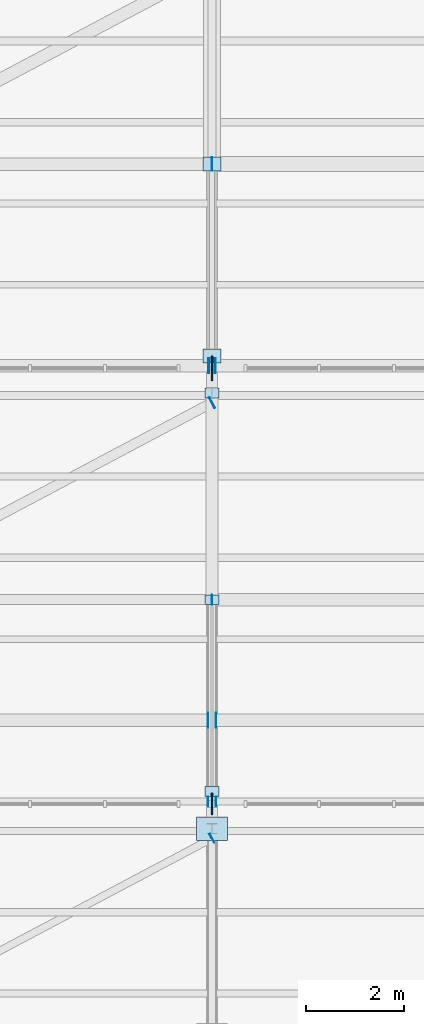
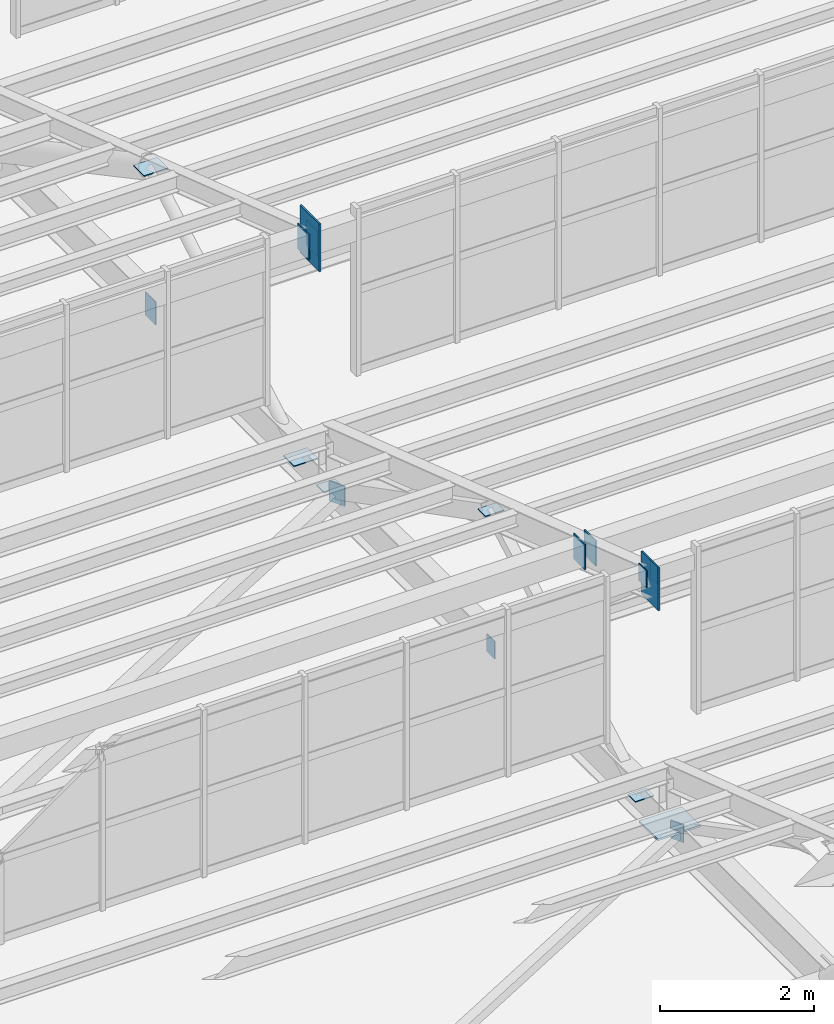
# One storey, part 215 of 285: 18 plates.
"""IFC4 building model written with IfcOpenShell, lengths in metres."""

from ifc_helpers import new_model, si_unit, direction, frame, origin, origin_2d, place, context, subcontext, project, spatial, rectangle, extrude, material, layer, layer_set, type_object, element, save


model = new_model("IFC4")

# Units and contexts
model_context = context("Model", 3, precision=1e-05, world=origin(), true_north=direction((0.0, 1.0)))
body_context = subcontext(model_context, "Body", "Model", "MODEL_VIEW")
ifc_project = project(units=[si_unit("LENGTHUNIT", "METRE"), si_unit("AREAUNIT", "SQUARE_METRE"), si_unit("VOLUMEUNIT", "CUBIC_METRE"), si_unit("PLANEANGLEUNIT", "RADIAN"), si_unit("MASSUNIT", "GRAM", prefix="KILO")], contexts=[model_context])

# Site, building, storey
site_placement = place(None, origin())
site = spatial("IfcSite", under=ifc_project, at=site_placement, CompositionType="ELEMENT")
building_placement = place(site_placement, origin())
building = spatial("IfcBuilding", under=site, at=building_placement, Name="Solanera Park Tramway Depot", CompositionType="ELEMENT")
storey_placement = place(building_placement, origin())
storey = spatial("IfcBuildingStorey", under=building, at=storey_placement, Name="L00", CompositionType="ELEMENT", Elevation=0.0)

# Plates
ifc_material_1 = material(Name="Steel AS/NZS 3679.1 Grade 350", Category="steel")
ifc_layer_1 = layer(ifc_material_1, 0.013916015625)
ifc_layer_set_1 = layer_set([ifc_layer_1], Name="Steel AS/NZS 3679.1 Grade 350")
plate_type_1 = type_object("IfcPlateType", Name="Hollow End Cap and Base Plate 280x200x14", PredefinedType="USERDEFINED", material=ifc_layer_set_1)
for number, where, z_axis, x_axis, name in (
    (1, (105.000732421875, 63.9013671875, 6.35986328125), (0.0, 0.0, 1.0), (0.883520501477, 0.468392488698, 0.0), "Hollow Section Welded End Cap Plate #0174"),
    (2, (105.0, 68.75, 6.35986328125), (0.0, 0.0, 1.0), (1.0, 0.0, 0.0), "Sawtooth Truss Hollow End Cap #0208"),
):
    element("IfcPlate", number, at=place(storey_placement, frame(where, z_axis=z_axis, x_axis=x_axis)), inside=storey, type_object=plate_type_1, Name=name, ObjectType="BASE PLATE", PredefinedType="USERDEFINED", context=body_context, shape_type="SweptSolid", body=[
        extrude(rectangle(XDim=0.013916015625, YDim=0.199951171875, at=origin_2d()), origin(), (0.0, 0.0, 1.0), 0.280029296875),
    ])
for number, where, z_axis, x_axis, name in (
    (3, (105.0, 72.949951171875, 6.4931640625), (0.0, 0.0, 1.0), (1.0, 0.0, 0.0), "Sawtooth Truss Node Cap Plate #0209"),
    (4, (105.0, 68.75, 8.66064453125), (0.0, 0.0, 1.0), (1.0, 0.0, 0.0), "Sawtooth Truss Node Cap Plate #0210"),
    (5, (105.0, 64.85009765625, 6.4931640625), (0.0, 0.0, 1.0), (1.0, 0.0, 0.0), "Sawtooth Truss Node Cap Plate #0211"),
):
    element("IfcPlate", number, at=place(storey_placement, frame(where, z_axis=z_axis, x_axis=x_axis)), inside=storey, type_object=plate_type_1, Name=name, ObjectType="BASE PLATE", PredefinedType="USERDEFINED", context=body_context, shape_type="SweptSolid", body=[
        extrude(rectangle(XDim=0.280029296875, YDim=0.199951171875, at=origin_2d()), origin(), (0.0, 0.0, 1.0), 0.013916015625),
    ])
for number, where, z_axis, x_axis, name in (
    (6, (104.915771484375, 64.64990234375, 10.0), (0.0, 0.0, 1.0), (1.0, 0.0, 0.0), "Hollow Section Welded End Cap Plate #0233"),
    (7, (105.084228515625, 64.64990234375, 10.0), (0.0, 0.0, 1.0), (1.0, 0.0, 0.0), "Hollow Section Welded End Cap Plate #0234"),
):
    element("IfcPlate", number, at=place(storey_placement, frame(where, z_axis=z_axis, x_axis=x_axis)), inside=storey, type_object=plate_type_1, Name=name, ObjectType="BASE PLATE", PredefinedType="USERDEFINED", context=body_context, shape_type="SweptSolid", body=[
        extrude(rectangle(XDim=0.013916015625, YDim=0.199951171875, at=origin_2d()), origin(), (0.0, 0.0, 1.0), 0.280029296875),
    ])
ifc_material_2 = material(Name="Steel AS/NZS 3679.1 Grade 350", Category="steel")
ifc_layer_2 = layer(ifc_material_2, 0.01611328125)
ifc_layer_set_2 = layer_set([ifc_layer_2], Name="Steel AS/NZS 3679.1 Grade 350")
plate_type_2 = type_object("IfcPlateType", Name="Hollow End Cap and Base Plate 320x240x16", PredefinedType="USERDEFINED", material=ifc_layer_set_2)
plate_1_placement = place(storey_placement, frame((105.00146484375, 72.751953125, 6.33984375), z_axis=(0.0, 0.0, 1.0), x_axis=(0.883520501477, 0.468392488698, 0.0)))
element("IfcPlate", 8, at=plate_1_placement, inside=storey, type_object=plate_type_2, Name="Hollow Section Welded End Cap Plate #0263", ObjectType="BASE PLATE", PredefinedType="USERDEFINED", context=body_context, shape_type="SweptSolid", body=[
    extrude(rectangle(XDim=0.01611328125, YDim=0.239990234375, at=origin_2d()), origin(), (0.0, 0.0, 1.0), 0.320068359375),
])
ifc_material_3 = material(Name="Steel AS/NZS 3679.1 Grade 350", Category="steel")
ifc_layer_3 = layer(ifc_material_3, 0.01806640625)
ifc_layer_set_3 = layer_set([ifc_layer_3], Name="Steel AS/NZS 3679.1 Grade 350")
plate_type_3 = type_object("IfcPlateType", Name="Hollow End Cap and Base Plate 360x280x18", PredefinedType="USERDEFINED", material=ifc_layer_set_3)
plate_2_placement = place(storey_placement, frame((105.0, 77.60009765625, 6.31982421875), z_axis=(0.0, 0.0, 1.0), x_axis=(1.0, 0.0, 0.0)))
element("IfcPlate", 9, at=plate_2_placement, inside=storey, type_object=plate_type_3, Name="Sawtooth Truss Hollow End Cap #0302", ObjectType="BASE PLATE", PredefinedType="USERDEFINED", context=body_context, shape_type="SweptSolid", body=[
    extrude(rectangle(XDim=0.01806640625, YDim=0.280029296875, at=origin_2d()), origin(), (0.0, 0.0, 1.0), 0.360107421875),
])
for number, where, z_axis, x_axis, name in (
    (10, (105.0, 77.60009765625, 8.733642578125), (0.0, 0.0, 1.0), (1.0, 0.0, 0.0), "Sawtooth Truss Node Cap Plate #0304"),
    (11, (105.0, 73.699951171875, 6.490966796875), (0.0, 0.0, 1.0), (1.0, 0.0, 0.0), "Sawtooth Truss Node Cap Plate #0305"),
):
    element("IfcPlate", number, at=place(storey_placement, frame(where, z_axis=z_axis, x_axis=x_axis)), inside=storey, type_object=plate_type_3, Name=name, ObjectType="BASE PLATE", PredefinedType="USERDEFINED", context=body_context, shape_type="SweptSolid", body=[
        extrude(rectangle(XDim=0.360107421875, YDim=0.280029296875, at=origin_2d()), origin(), (0.0, 0.0, 1.0), 0.01806640625),
    ])
ifc_material_4 = material(Name="Steel AS/NZS 3679.1 Grade 350", Category="steel")
ifc_layer_4 = layer(ifc_material_4, 0.02001953125)
ifc_layer_set_4 = layer_set([ifc_layer_4], Name="Steel AS/NZS 3679.1 Grade 350")
plate_type_4 = type_object("IfcPlateType", Name="Hollow End Cap and Base Plate 400x300x20", PredefinedType="USERDEFINED", material=ifc_layer_set_4)
for number, where, z_axis, x_axis, name in (
    (12, (104.918701171875, 66.300048828125, 9.3212890625), (0.0, 0.0, 1.0), (1.0, 0.0, 0.0), "Hollow Section Welded End Cap Plate #0249"),
    (13, (105.081298828125, 66.300048828125, 9.3212890625), (0.0, 0.0, 1.0), (1.0, 0.0, 0.0), "Hollow Section Welded End Cap Plate #0250"),
    (14, (104.930908203125, 73.5, 9.873291015625), (0.0, 0.0, 1.0), (1.0, 0.0, 0.0), "Hollow Section Welded End Cap Plate #0334"),
    (15, (105.069091796875, 73.5, 9.873291015625), (0.0, 0.0, 1.0), (1.0, 0.0, 0.0), "Hollow Section Welded End Cap Plate #0335"),
):
    element("IfcPlate", number, at=place(storey_placement, frame(where, z_axis=z_axis, x_axis=x_axis)), inside=storey, type_object=plate_type_4, Name=name, ObjectType="BASE PLATE", PredefinedType="USERDEFINED", context=body_context, shape_type="SweptSolid", body=[
        extrude(rectangle(XDim=0.02001953125, YDim=0.300048828125, at=origin_2d()), origin(), (0.0, 0.0, 1.0), 0.39990234375),
    ])
ifc_material_5 = material(Name="Steel AS/NZS 3679.1 Grade 350", Category="steel")
ifc_layer_5 = layer(ifc_material_5, 0.031982421875)
ifc_layer_set_5 = layer_set([ifc_layer_5], Name="Steel AS/NZS 3679.1 Grade 350")
plate_type_5 = type_object("IfcPlateType", Name="Hollow End Cap and Base Plate 640x480x32", PredefinedType="USERDEFINED", material=ifc_layer_set_5)
plate_3_placement = place(storey_placement, frame((105.0, 64.10009765625, 6.48388671875), z_axis=(0.0, 0.0, 1.0), x_axis=(1.0, 0.0, 0.0)))
element("IfcPlate", 16, at=plate_3_placement, inside=storey, type_object=plate_type_5, Name="Sawtooth Truss Node Cap Plate #0104", ObjectType="BASE PLATE", PredefinedType="USERDEFINED", context=body_context, shape_type="SweptSolid", body=[
    extrude(rectangle(XDim=0.639892578125, YDim=0.47998046875, at=origin_2d()), origin(), (0.0, 0.0, 1.0), 0.031982421875),
])
ifc_material_6 = material(Name="Steel AS/NZS 3679.1 Grade 350", Category="steel")
ifc_layer_6 = layer(ifc_material_6, 0.02392578125)
ifc_layer_set_6 = layer_set([ifc_layer_6], Name="Steel AS/NZS 3679.1 Grade 350")
plate_type_6 = type_object("IfcPlateType", Name="Truss Node Gusset Stiffener 680x440x24", PredefinedType="SHEET", material=ifc_layer_set_6)
plate_4_placement = place(storey_placement, frame((105.0, 64.60009765625, 9.71630859375), z_axis=(0.0, 0.0, 1.0), x_axis=(1.0, 0.0, 0.0)))
element("IfcPlate", 17, at=plate_4_placement, inside=storey, type_object=plate_type_6, Name="Sawtooth Truss Apex Gusset Plate #0207", PredefinedType="SHEET", context=body_context, shape_type="SweptSolid", body=[
    extrude(rectangle(XDim=0.02392578125, YDim=0.43994140625, at=origin_2d()), origin(), (0.0, 0.0, 1.0), 0.679931640625),
])
ifc_material_7 = material(Name="Steel AS/NZS 3679.1 Grade 350", Category="steel")
ifc_layer_7 = layer(ifc_material_7, 0.02587890625)
ifc_layer_set_7 = layer_set([ifc_layer_7], Name="Steel AS/NZS 3679.1 Grade 350")
plate_type_7 = type_object("IfcPlateType", Name="Truss Node Gusset Stiffener 760x500x26", PredefinedType="SHEET", material=ifc_layer_set_7)
plate_5_placement = place(storey_placement, frame((105.0, 73.449951171875, 9.7509765625), z_axis=(0.0, 0.0, 1.0), x_axis=(1.0, 0.0, 0.0)))
element("IfcPlate", 18, at=plate_5_placement, inside=storey, type_object=plate_type_7, Name="Sawtooth Truss Apex Gusset Plate #0301", PredefinedType="SHEET", context=body_context, shape_type="SweptSolid", body=[
    extrude(rectangle(XDim=0.02587890625, YDim=0.5, at=origin_2d()), origin(), (0.0, 0.0, 1.0), 0.760009765625),
])

save(model, "model.ifc")
